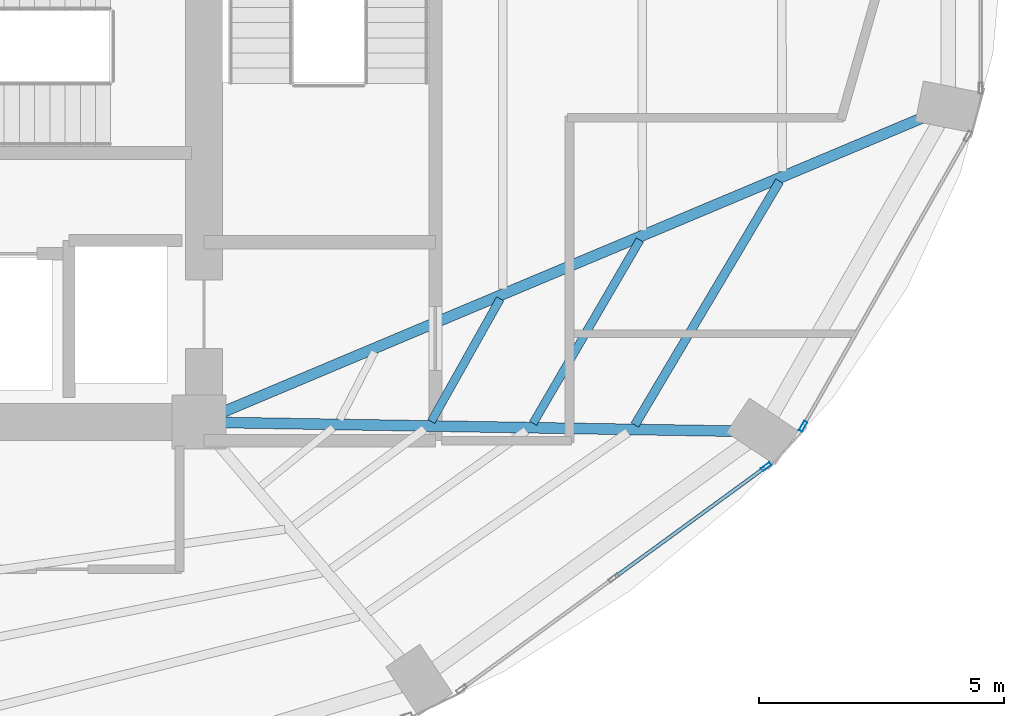
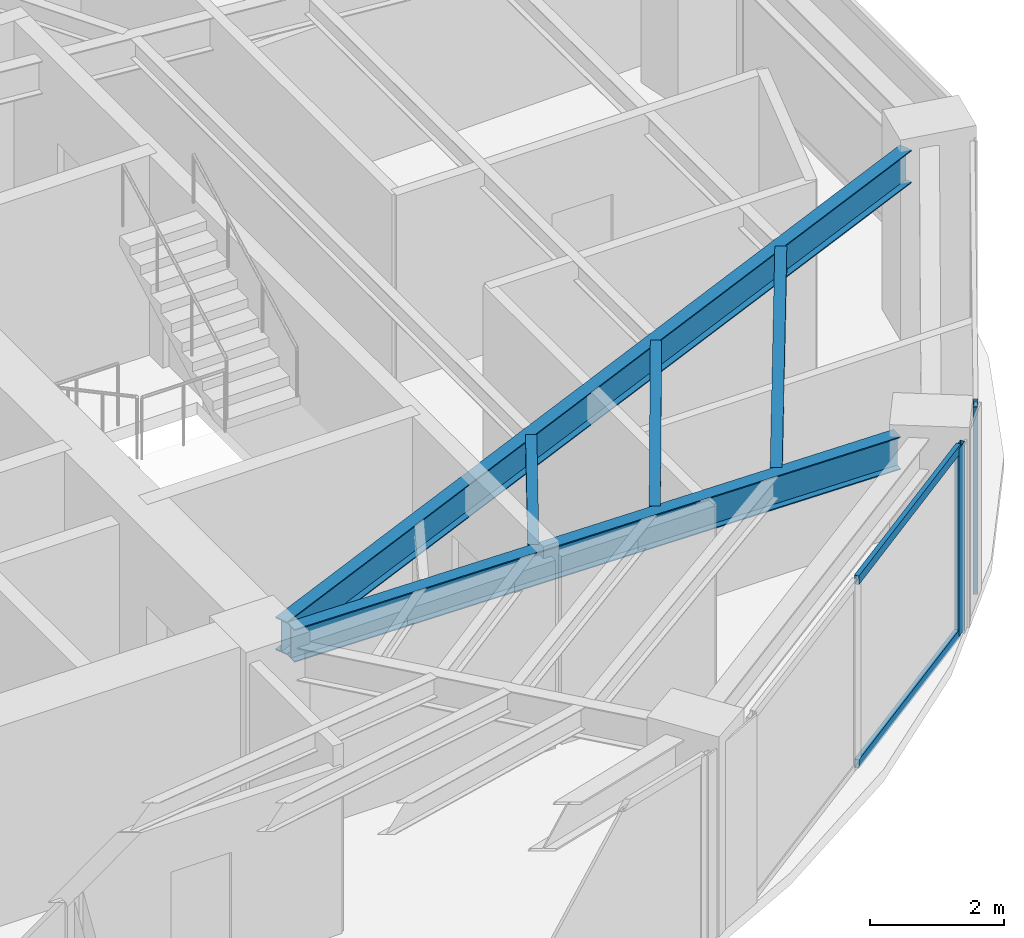
# One storey, part 11 of 23: 5 beams, 4 members, 2 elements without a shape of their own.
"""IFC4 building model written with IfcOpenShell, lengths in metres."""

import ifcopenshell
import ifcopenshell.guid

model = None  # the IFC model being written
_history = None  # IfcOwnerHistory: only IFC2X3 demands one
_inside = {}  # id of a spatial element -> (the spatial element, [elements in it])
_under = {}  # id of a project, library or spatial element -> (it, [spatial elements below it])
_declared = {}  # id of a project -> (the project, [libraries it declares])
_typed = {}  # id of a type object -> (the type object, [elements of that type])
_made_of = {}  # id of a material, layer set ... -> (it, [elements and type objects made of it])


def new_model(schema):
    """Start an empty IFC model of exactly this schema.

    Asked for "IFC4X3", IfcOpenShell would pick the latest addendum, in which some entities
    have other attributes; the version numbers below select the first issue.
    IFC2X3 requires an IfcOwnerHistory on every rooted entity: one is made here for all.
    """
    global model, _history
    if schema == "IFC4X3":
        model = ifcopenshell.file(schema_version=(4, 3, 0, 0))
    else:
        model = ifcopenshell.file(schema=schema)
    _inside.clear()
    _under.clear()
    _declared.clear()
    _typed.clear()
    _made_of.clear()
    _history = None
    if model.schema == "IFC2X3":
        org = make("IfcOrganization", Name="unknown")
        user = make(
            "IfcPersonAndOrganization",
            ThePerson=make("IfcPerson", FamilyName="unknown"),
            TheOrganization=org,
        )
        app = make(
            "IfcApplication",
            ApplicationDeveloper=org,
            Version="unknown",
            ApplicationFullName="unknown",
            ApplicationIdentifier="unknown",
        )
        _history = make(
            "IfcOwnerHistory",
            OwningUser=user,
            OwningApplication=app,
            ChangeAction="ADDED",
            CreationDate=0,
        )
    return model


def make(cls, **values):
    """One entity of the class cls with the attributes given. An attribute that is None is left unset."""
    return model.create_entity(
        cls, **{name: value for name, value in values.items() if value is not None}
    )


def rooted(cls, **values):
    """An entity with a GlobalId (a new one), such as an element, a storey or a relation."""
    return make(cls, GlobalId=ifcopenshell.guid.new(), OwnerHistory=_history, **values)


def si_unit(unit_type, name, prefix=None):
    """IfcSIUnit, for example si_unit("LENGTHUNIT", "METRE", prefix="MILLI")."""
    return make("IfcSIUnit", UnitType=unit_type, Prefix=prefix, Name=name)


def assignment(units):
    """IfcUnitAssignment: the units of a project."""
    return None if units is None else make("IfcUnitAssignment", Units=units)


def point(xyz):
    """IfcCartesianPoint."""
    return None if xyz is None else make("IfcCartesianPoint", Coordinates=xyz)


def direction(xyz):
    """IfcDirection."""
    return None if xyz is None else make("IfcDirection", DirectionRatios=xyz)


def frame(location, z_axis=None, x_axis=None):
    """IfcAxis2Placement3D, a coordinate frame: its origin and axes. An axis left out is left unset."""
    return make(
        "IfcAxis2Placement3D",
        Location=point(location),
        Axis=direction(z_axis),
        RefDirection=direction(x_axis),
    )


def frame_2d(location, x_axis=None):
    """IfcAxis2Placement2D, a coordinate frame in the plane: its origin and x axis."""
    return make(
        "IfcAxis2Placement2D", Location=point(location), RefDirection=direction(x_axis)
    )


def origin():
    """The frame at (0, 0, 0) with its axes left unset."""
    return frame((0.0, 0.0, 0.0))


def origin_2d():
    """The frame at (0, 0) in the plane with its x axis left unset."""
    return frame_2d((0.0, 0.0))


def place(relative_to, where):
    """IfcLocalPlacement: puts the frame where relative to a parent placement (None: the world)."""
    return make(
        "IfcLocalPlacement", PlacementRelTo=relative_to, RelativePlacement=where
    )


def context(
    kind, dimensions, precision=None, world=None, true_north=None, identifier=None
):
    """IfcGeometricRepresentationContext, for example the 3D "Model" context."""
    return make(
        "IfcGeometricRepresentationContext",
        ContextIdentifier=identifier,
        ContextType=kind,
        CoordinateSpaceDimension=dimensions,
        Precision=precision,
        WorldCoordinateSystem=world,
        TrueNorth=true_north,
    )


def subcontext(parent, identifier, kind, view, scale=None):
    """IfcGeometricRepresentationSubContext, for example "Body" below "Model"."""
    return make(
        "IfcGeometricRepresentationSubContext",
        ContextIdentifier=identifier,
        ContextType=kind,
        ParentContext=parent,
        TargetScale=scale,
        TargetView=view,
    )


def project(units=None, contexts=None):
    """IfcProject with its units and contexts."""
    return rooted(
        "IfcProject",
        Name="project",
        RepresentationContexts=contexts,
        UnitsInContext=assignment(units),
    )


def spatial(cls, under=None, at=None, **own):
    """A site, building, storey or space (cls), placed at a placement, below another one or the project."""
    s = rooted(cls, ObjectPlacement=at, **own)
    if under is not None:
        _under.setdefault(under.id(), (under, []))[1].append(s)
    return s


def profile(cls, at=None, kind="AREA", **sizes):
    """A parametric profile (cls). Its sizes go by their IFC names, for example OverallWidth=200.0."""
    return make(cls, ProfileType=kind, Position=at, **sizes)


def hollow_rectangle(**sizes):
    """IfcRectangleHollowProfileDef."""
    return profile("IfcRectangleHollowProfileDef", **sizes)


def i_section(**sizes):
    """IfcIShapeProfileDef."""
    return profile("IfcIShapeProfileDef", **sizes)


def extrude(swept, where, along, depth):
    """IfcExtrudedAreaSolid: the profile swept, set in the frame where, extruded along a direction by depth."""
    return make(
        "IfcExtrudedAreaSolid",
        SweptArea=swept,
        Position=where,
        ExtrudedDirection=direction(along),
        Depth=depth,
    )


def shape(context_of_items, identifier, shape_type, items):
    """IfcShapeRepresentation: the items that make up one representation, for example the "Body"."""
    return make(
        "IfcShapeRepresentation",
        ContextOfItems=context_of_items,
        RepresentationIdentifier=identifier,
        RepresentationType=shape_type,
        Items=items,
    )


def material(Name=None, Category=None):
    """IfcMaterial."""
    return make("IfcMaterial", Name=Name, Category=Category)


def layer(
    of_material, thickness, ventilated=None, Name=None, Category=None, Priority=None
):
    """IfcMaterialLayer: one layer of a wall or slab, of a material (None: an air gap)."""
    return make(
        "IfcMaterialLayer",
        Material=of_material,
        LayerThickness=thickness,
        IsVentilated=ventilated,
        Name=Name,
        Category=Category,
        Priority=Priority,
    )


def layer_set(layers, Name=None):
    """IfcMaterialLayerSet."""
    return make("IfcMaterialLayerSet", MaterialLayers=layers, LayerSetName=Name)


def material_profile(
    of_material, cross_section, Name=None, Category=None, Priority=None
):
    """IfcMaterialProfile: a cross section and its material."""
    return make(
        "IfcMaterialProfile",
        Name=Name,
        Material=of_material,
        Profile=cross_section,
        Priority=Priority,
        Category=Category,
    )


def profile_set(profiles, Name=None, composite=None):
    """IfcMaterialProfileSet."""
    return make(
        "IfcMaterialProfileSet",
        Name=Name,
        MaterialProfiles=profiles,
        CompositeProfile=composite,
    )


def made_of(thing, what):
    """Note that an element or type object is made of a material, layer set ...; save() writes the relation."""
    if what is not None:
        _made_of.setdefault(what.id(), (what, []))[1].append(thing)
    return thing


def type_object(cls, material=None, **own):
    """A type object (cls), such as IfcWallType, which elements share."""
    return made_of(rooted(cls, **own), material)


def element(
    cls,
    number,
    at=None,
    inside=None,
    cuts=None,
    type_object=None,
    material=None,
    context=None,
    identifier="Body",
    shape_type=None,
    held_by="IfcProductDefinitionShape",
    body=None,
    shapes=None,
    **own,
):
    """One element of the class cls, such as IfcWall. Its Tag is "e" and its number.

    at: its placement. inside: the storey or other place that contains it. cuts: it is an
    opening in that element (IfcRelVoidsElement). A single representation is given by context,
    identifier, shape_type and body (its items); several are given by shapes. held_by: the class
    of the entity that holds the representations. save() writes the other relations.
    """
    e = rooted(cls, Tag="e%d" % number, ObjectPlacement=at, **own)
    if body is not None:
        shapes = [shape(context, identifier, shape_type, body)]
    if shapes is not None:
        e.Representation = make(held_by, Representations=shapes)
    if inside is not None:
        _inside.setdefault(inside.id(), (inside, []))[1].append(e)
    if cuts is not None:
        rooted(
            "IfcRelVoidsElement", RelatingBuildingElement=cuts, RelatedOpeningElement=e
        )
    if type_object is not None:
        _typed.setdefault(type_object.id(), (type_object, []))[1].append(e)
    return made_of(e, material)


def aggregate(whole, parts):
    """IfcRelAggregates: a whole, such as a stair, and the parts it consists of."""
    return rooted("IfcRelAggregates", RelatingObject=whole, RelatedObjects=parts)


def save(model, path):
    """Write the relations noted so far, then the file.

    IfcRelAggregates (storeys below a building ...), IfcRelContainedInSpatialStructure (elements
    in a storey), IfcRelDefinesByType, IfcRelAssociatesMaterial and IfcRelDeclares: one each for
    every whole, place, type object, material and project.
    """
    for whole, parts in _under.values():
        aggregate(whole, parts)
    for where, things in _inside.values():
        rooted(
            "IfcRelContainedInSpatialStructure",
            RelatedElements=things,
            RelatingStructure=where,
        )
    for kind, things in _typed.values():
        rooted("IfcRelDefinesByType", RelatedObjects=things, RelatingType=kind)
    for what, things in _made_of.values():
        rooted("IfcRelAssociatesMaterial", RelatedObjects=things, RelatingMaterial=what)
    for by, libraries in _declared.values():
        rooted("IfcRelDeclares", RelatingContext=by, RelatedDefinitions=libraries)
    model.write(path)


model = new_model("IFC4")

# Units and contexts
model_context = context("Model", 3, precision=1e-05, world=origin(), true_north=direction((0.0, 1.0)))
body_context = subcontext(model_context, "Body", "Model", "MODEL_VIEW")
ifc_project = project(units=[si_unit("LENGTHUNIT", "METRE"), si_unit("AREAUNIT", "SQUARE_METRE"), si_unit("VOLUMEUNIT", "CUBIC_METRE"), si_unit("PLANEANGLEUNIT", "RADIAN"), si_unit("MASSUNIT", "GRAM", prefix="KILO")], contexts=[model_context])

# Site, building, storey
site_placement = place(None, origin())
site = spatial("IfcSite", under=ifc_project, at=site_placement, CompositionType="ELEMENT")
building_placement = place(site_placement, origin())
building = spatial("IfcBuilding", under=site, at=building_placement, Name="Lazwardi Medical Tower", CompositionType="ELEMENT")
storey_placement = place(building_placement, frame((0.0, 0.0, 89.0400390625)))
storey = spatial("IfcBuildingStorey", under=building, at=storey_placement, Name="L22", CompositionType="ELEMENT", Elevation=89.0400390625)

# Beams
ifc_material_1 = material(Name="Steel S355", Category="steel")
ifc_material_profile_1 = material_profile(ifc_material_1, i_section(OverallWidth=0.219970703125, OverallDepth=0.60009765625, WebThickness=0.011962890625, FlangeThickness=0.01904296875, at=origin_2d()), Name="IPE 600")
ifc_profile_set_1 = profile_set([ifc_material_profile_1], Name="Steel S355")
beam_type_1 = type_object("IfcBeamType", Name="BM-RG-W1", PredefinedType="BEAM", material=ifc_profile_set_1)
beam_1_placement = place(storey_placement, frame((56.497802734375, 20.215087890625, 3.1279296875), z_axis=(-0.99985616395, 0.016960289263, 0.0), x_axis=(-0.016960289263, -0.99985616395, 0.0)))
element("IfcBeam", 1, at=beam_1_placement, inside=storey, type_object=beam_type_1, Name="Radial girder RG-02 R03 L22", PredefinedType="BEAM", context=body_context, shape_type="SweptSolid", body=[
    extrude(i_section(OverallWidth=0.219970703125, OverallDepth=0.60009765625, WebThickness=0.011962890625, FlangeThickness=0.01904296875, at=origin_2d()), origin(), (0.0, 0.0, 1.0), 10.3642578125),
])
beam_2_placement = place(storey_placement, frame((60.328369140625, 26.59521484375, 3.1279296875), z_axis=(-0.921775176005, -0.38772480563, 0.0), x_axis=(0.38772480563, -0.921775176005, 0.0)))
element("IfcBeam", 2, at=beam_2_placement, inside=storey, type_object=beam_type_1, Name="Radial girder RG-02 R04 L22", PredefinedType="BEAM", context=body_context, shape_type="SweptSolid", body=[
    extrude(i_section(OverallWidth=0.219970703125, OverallDepth=0.60009765625, WebThickness=0.011962890625, FlangeThickness=0.01904296875, at=origin_2d()), origin(), (0.0, 0.0, 1.0), 15.443359375),
])
ifc_material_profile_2 = material_profile(ifc_material_1, i_section(OverallWidth=0.179931640625, OverallDepth=0.39990234375, WebThickness=0.008544921875, FlangeThickness=0.013427734375, at=origin_2d()), Name="IPE 400")
ifc_profile_set_2 = profile_set([ifc_material_profile_2], Name="Steel S355")
beam_type_2 = type_object("IfcBeamType", Name="BM-SJ-01", PredefinedType="JOIST", material=ifc_profile_set_2)
beam_3_placement = place(storey_placement, frame((54.47900390625, 20.340576171875, 3.22802734375), z_axis=(0.510499691073, 0.859877936346, 0.0), x_axis=(-0.859877936346, 0.510499691073, 0.0)))
element("IfcBeam", 3, at=beam_3_placement, inside=storey, type_object=beam_type_2, Name="Secondary joist SJ-01 R1 B03 L22", PredefinedType="JOIST", context=body_context, shape_type="SweptSolid", body=[
    extrude(i_section(OverallWidth=0.179931640625, OverallDepth=0.39990234375, WebThickness=0.008544921875, FlangeThickness=0.013427734375, at=origin_2d()), origin(), (0.0, 0.0, 1.0), 5.776123046875),
])
ifc_material_profile_3 = material_profile(ifc_material_1, i_section(OverallWidth=0.169921875, OverallDepth=0.360107421875, WebThickness=0.008056640625, FlangeThickness=0.0126953125, at=origin_2d()), Name="IPE 360")
ifc_profile_set_3 = profile_set([ifc_material_profile_3], Name="Steel S355")
beam_type_3 = type_object("IfcBeamType", Name="BM-SJ-02", PredefinedType="JOIST", material=ifc_profile_set_3)
beam_4_placement = place(storey_placement, frame((52.405517578125, 20.376220703125, 3.248046875), z_axis=(0.503544274258, 0.86396942299, 0.0), x_axis=(-0.86396942299, 0.503544274258, 0.0)))
element("IfcBeam", 4, at=beam_4_placement, inside=storey, type_object=beam_type_3, Name="Secondary joist SJ-02 R2 B03 L22", PredefinedType="JOIST", context=body_context, shape_type="SweptSolid", body=[
    extrude(i_section(OverallWidth=0.169921875, OverallDepth=0.360107421875, WebThickness=0.008056640625, FlangeThickness=0.0126953125, at=origin_2d()), origin(), (0.0, 0.0, 1.0), 4.321044921875),
])
beam_5_placement = place(storey_placement, frame((50.33154296875, 20.412109375, 3.248046875), z_axis=(0.489860824278, 0.871800649711, 0.0), x_axis=(-0.871800649711, 0.489860824278, 0.0)))
element("IfcBeam", 5, at=beam_5_placement, inside=storey, type_object=beam_type_3, Name="Secondary joist SJ-02 R3 B03 L22", PredefinedType="JOIST", context=body_context, shape_type="SweptSolid", body=[
    extrude(i_section(OverallWidth=0.169921875, OverallDepth=0.360107421875, WebThickness=0.008056640625, FlangeThickness=0.0126953125, at=origin_2d()), origin(), (0.0, 0.0, 1.0), 2.8662109375),
])

# Curtain wall, member
ifc_material_2 = material(Name="Anodised bronze aluminium and solar control glazing", Category="aluminium")
ifc_layer = layer(ifc_material_2, 0.195068359375)
ifc_layer_set = layer_set([ifc_layer], Name="Anodised bronze aluminium and solar control glazing")
curtain_wall_type = type_object("IfcCurtainWallType", Name="CW-SYS-03", PredefinedType="NOTDEFINED", material=ifc_layer_set)
curtain_wall_1_placement = place(storey_placement, origin())
curtain_wall_1 = element("IfcCurtainWall", 6, at=curtain_wall_1_placement, inside=storey, type_object=curtain_wall_type, Name="L22 Unitised bronze curtain wall CW-03", PredefinedType="NOTDEFINED")
ifc_material_3 = material(Name="Anodised bronze aluminium", Category="aluminium")
ifc_material_profile_4 = material_profile(ifc_material_3, hollow_rectangle(XDim=0.074951171875, YDim=0.219970703125, WallThickness=0.00390625, at=origin_2d()), Name="ALU-MULLION 220x75x4")
ifc_profile_set_4 = profile_set([ifc_material_profile_4], Name="Anodised bronze aluminium")
member_type_1 = type_object("IfcMemberType", Name="CW-MUL-01", PredefinedType="MULLION", material=ifc_profile_set_4)
member_1_placement = place(storey_placement, frame((57.155029296875, 19.4912109375, 0.0), z_axis=(0.0, 0.0, 1.0), x_axis=(-0.589530882802, 0.807745837639, 0.0)))
member_1 = element("IfcMember", 7, at=member_1_placement, type_object=member_type_1, Name="CW-03 mullion 3", PredefinedType="MULLION", context=body_context, shape_type="SweptSolid", body=[
    extrude(hollow_rectangle(XDim=0.074951171875, YDim=0.219970703125, WallThickness=0.00390625, at=origin_2d()), origin(), (0.0, 0.0, 1.0), 3.427978515625),
])

curtain_wall_2_placement = place(storey_placement, origin())
curtain_wall_2 = element("IfcCurtainWall", 8, at=curtain_wall_2_placement, inside=storey, type_object=curtain_wall_type, Name="L22 Unitised bronze curtain wall CW-03", PredefinedType="NOTDEFINED")
member_2_placement = place(storey_placement, frame((57.9072265625, 20.314208984375, 0.0), z_axis=(0.0, 0.0, 1.0), x_axis=(-0.869687265712, 0.493603140041, 0.0)))
member_2 = element("IfcMember", 9, at=member_2_placement, type_object=member_type_1, Name="CW-03 mullion 1", PredefinedType="MULLION", context=body_context, shape_type="SweptSolid", body=[
    extrude(hollow_rectangle(XDim=0.074951171875, YDim=0.219970703125, WallThickness=0.00390625, at=origin_2d()), origin(), (0.0, 0.0, 1.0), 3.427978515625),
])
aggregate(curtain_wall_2, [member_2])

# Member
ifc_material_profile_5 = material_profile(ifc_material_3, hollow_rectangle(XDim=0.074951171875, YDim=0.159912109375, WallThickness=0.00390625, at=origin_2d()), Name="ALU-TRANSOM 160x75x4")
ifc_profile_set_5 = profile_set([ifc_material_profile_5], Name="Anodised bronze aluminium")
member_type_2 = type_object("IfcMemberType", Name="CW-TRN-01", PredefinedType="USERDEFINED", material=ifc_profile_set_5)
member_3_placement = place(storey_placement, frame((54.081298828125, 17.247802734375, 0.037353515625), z_axis=(0.807731734271, 0.589550206049, 0.0), x_axis=(-0.589550206049, 0.807731734271, 0.0)))
member_3 = element("IfcMember", 10, at=member_3_placement, type_object=member_type_2, Name="CW-03 transom 2.1", ObjectType="TRANSOM", PredefinedType="USERDEFINED", context=body_context, shape_type="SweptSolid", body=[
    extrude(hollow_rectangle(XDim=0.074951171875, YDim=0.159912109375, WallThickness=0.00390625, at=origin_2d()), origin(), (0.0, 0.0, 1.0), 3.767578125),
])

member_4_placement = place(storey_placement, frame((54.081298828125, 17.247802734375, 3.390380859375), z_axis=(0.807731734271, 0.589550206049, 0.0), x_axis=(-0.589550206049, 0.807731734271, 0.0)))
member_4 = element("IfcMember", 11, at=member_4_placement, type_object=member_type_2, Name="CW-03 transom 2.2", ObjectType="TRANSOM", PredefinedType="USERDEFINED", context=body_context, shape_type="SweptSolid", body=[
    extrude(hollow_rectangle(XDim=0.074951171875, YDim=0.159912109375, WallThickness=0.00390625, at=origin_2d()), origin(), (0.0, 0.0, 1.0), 3.767578125),
])

aggregate(curtain_wall_1, [member_1, member_3, member_4])

save(model, "model.ifc")
